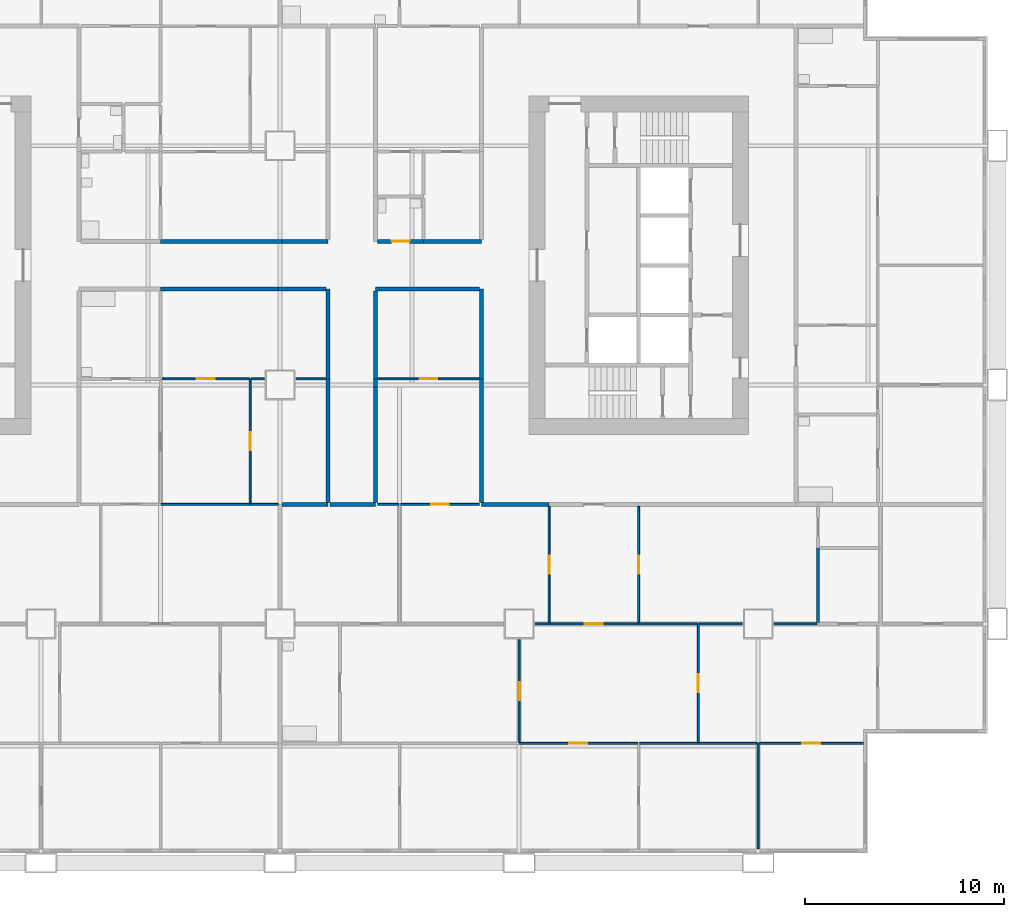
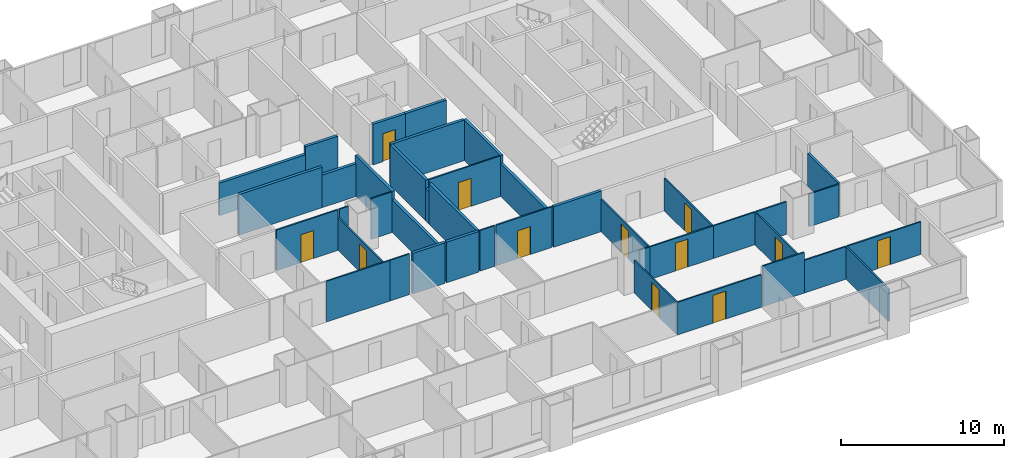
# One storey, part 6 of 14: 41 walls, 12 doors, 12 openings.
"""IFC4 building model written with IfcOpenShell, lengths in metres."""

from ifc_helpers import new_model, si_unit, direction, frame, frame_2d, origin, place, context, subcontext, project, spatial, rectangle, extrude, material, layer, layer_set, type_object, element, fill, save


model = new_model("IFC4")

# Units and contexts
model_context = context("Model", 3, precision=1e-05, world=origin(), true_north=direction((0.0, 1.0)))
body_context = subcontext(model_context, "Body", "Model", "MODEL_VIEW")
ifc_project = project(units=[si_unit("LENGTHUNIT", "METRE"), si_unit("AREAUNIT", "SQUARE_METRE"), si_unit("VOLUMEUNIT", "CUBIC_METRE"), si_unit("PLANEANGLEUNIT", "RADIAN"), si_unit("MASSUNIT", "GRAM", prefix="KILO")], contexts=[model_context])

# Site, building, storey
site_placement = place(None, origin())
site = spatial("IfcSite", under=ifc_project, at=site_placement, CompositionType="ELEMENT")
building_placement = place(site_placement, origin())
building = spatial("IfcBuilding", under=site, at=building_placement, Name="Kitamizu Gate Tower and Museum", CompositionType="ELEMENT")
storey_placement = place(building_placement, frame((0.0, 0.0, 85.199951171875)))
storey = spatial("IfcBuildingStorey", under=building, at=storey_placement, Name="L21", CompositionType="ELEMENT", Elevation=85.199951171875)

# Walls
ifc_material_1 = material(Name="Gypsum board on galvanised stud")
ifc_layer_1 = layer(ifc_material_1, 0.10009765625)
ifc_layer_set_1 = layer_set([ifc_layer_1], Name="Gypsum board on galvanised stud")
wall_type_1 = type_object("IfcWallType", Name="Partition 100 NOT RATED", PredefinedType="PARTITIONING", material=ifc_layer_set_1)
wall_1_placement = place(storey_placement, frame((34.5, 18.0, 0.0), z_axis=(0.0, 0.0, 1.0), x_axis=(-1.0, 0.0, 0.0)))
element("IfcWall", 1, at=wall_1_placement, inside=storey, type_object=wall_type_1, Name="Partition L21-044", PredefinedType="PARTITIONING", context=body_context, shape_type="SweptSolid", body=[
    extrude(rectangle(XDim=4.5, YDim=0.10009765625, at=frame_2d((2.25, 0.0))), origin(), (0.0, 0.0, 1.0), 3.050048828125),
])
wall_2_placement = place(storey_placement, frame((35.89990234375, 18.0, 0.0), z_axis=(0.0, 0.0, 1.0), x_axis=(-1.0, 0.0, 0.0)))
element("IfcWall", 2, at=wall_2_placement, inside=storey, type_object=wall_type_1, Name="Partition L21-045", PredefinedType="PARTITIONING", context=body_context, shape_type="SweptSolid", body=[
    extrude(rectangle(XDim=1.39990234375, YDim=0.10009765625, at=frame_2d((0.699951171875, 0.0))), origin(), (0.0, 0.0, 1.0), 3.050048828125),
])

# Wall, opening, door
wall_3_placement = place(storey_placement, frame((34.5, 18.050048828125, 0.0), z_axis=(0.0, 0.0, 1.0), x_axis=(0.0, 1.0, 0.0)))
wall_3 = element("IfcWall", 3, at=wall_3_placement, inside=storey, type_object=wall_type_1, Name="Partition L21-051", PredefinedType="PARTITIONING", context=body_context, shape_type="SweptSolid", body=[
    extrude(rectangle(XDim=6.25, YDim=0.10009765625, at=frame_2d((3.125, 0.0))), origin(), (0.0, 0.0, 1.0), 2.449951171875),
])
opening_1_placement = place(wall_3_placement, frame((2.675048828125, 0.0, 0.0)))
opening_1 = element("IfcOpeningElement", 4, at=opening_1_placement, cuts=wall_3, Name="Opening L21-018", PredefinedType="OPENING", context=body_context, shape_type="SweptSolid", body=[
    extrude(rectangle(XDim=0.89990234375, YDim=2.10009765625, at=frame_2d((0.449951171875, 1.050048828125))), frame((0.0, 0.06005859375, 0.0), z_axis=(0.0, -1.0, 0.0), x_axis=(1.0, 0.0, 0.0)), (0.0, 0.0, 1.0), 0.1201171875),
])
ifc_material_2 = material(Name="Timber door set", Category="wood")
door_type_1 = type_object("IfcDoorType", Name="Room door 900", OperationType="NOTDEFINED", PredefinedType="DOOR", material=ifc_material_2)
door_1_placement = place(opening_1_placement, frame((0.89990234375, 0.0, 0.0), x_axis=(-1.0, 0.0, 0.0)))
door_1 = element("IfcDoor", 5, at=door_1_placement, inside=storey, type_object=door_type_1, Name="Door L21-018", OperationType="SINGLE_SWING_LEFT", OverallHeight=2.10009765625, OverallWidth=0.89990234375, PredefinedType="DOOR", context=body_context, shape_type="SweptSolid", body=[
    extrude(rectangle(XDim=0.89990234375, YDim=2.10009765625, at=frame_2d((0.449951171875, 1.050048828125))), frame((0.0, 0.02490234375, 0.0), z_axis=(0.0, -1.0, 0.0), x_axis=(1.0, 0.0, 0.0)), (0.0, 0.0, 1.0), 0.050048828125),
])
fill(opening_1, door_1)

wall_4_placement = place(storey_placement, frame((34.449951171875, 24.300048828125, 0.0), z_axis=(0.0, 0.0, 1.0), x_axis=(-1.0, 0.0, 0.0)))
wall_4 = element("IfcWall", 6, at=wall_4_placement, inside=storey, type_object=wall_type_1, Name="Partition L21-052", PredefinedType="PARTITIONING", context=body_context, shape_type="SweptSolid", body=[
    extrude(rectangle(XDim=4.375, YDim=0.10009765625, at=frame_2d((2.1875, 0.0))), origin(), (0.0, 0.0, 1.0), 3.050048828125),
])
opening_2_placement = place(wall_4_placement, frame((1.737548828125, 0.0, 0.0)))
opening_2 = element("IfcOpeningElement", 7, at=opening_2_placement, cuts=wall_4, Name="Opening L21-020", PredefinedType="OPENING", context=body_context, shape_type="SweptSolid", body=[
    extrude(rectangle(XDim=0.89990234375, YDim=2.10009765625, at=frame_2d((0.449951171875, 1.050048828125))), frame((0.0, 0.06005859375, 0.0), z_axis=(0.0, -1.0, 0.0), x_axis=(1.0, 0.0, 0.0)), (0.0, 0.0, 1.0), 0.1201171875),
])
door_2_placement = place(opening_2_placement, origin())
door_2 = element("IfcDoor", 8, at=door_2_placement, inside=storey, type_object=door_type_1, Name="Door L21-020", OperationType="SINGLE_SWING_RIGHT", OverallHeight=2.10009765625, OverallWidth=0.89990234375, PredefinedType="DOOR", context=body_context, shape_type="SweptSolid", body=[
    extrude(rectangle(XDim=0.89990234375, YDim=2.10009765625, at=frame_2d((0.449951171875, 1.050048828125))), frame((0.0, 0.02490234375, 0.0), z_axis=(0.0, -1.0, 0.0), x_axis=(1.0, 0.0, 0.0)), (0.0, 0.0, 1.0), 0.050048828125),
])
fill(opening_2, door_2)

# Walls
wall_5_placement = place(storey_placement, frame((35.199951171875, 24.300048828125, 0.0), z_axis=(0.0, 0.0, 1.0), x_axis=(-1.0, 0.0, 0.0)))
element("IfcWall", 9, at=wall_5_placement, inside=storey, type_object=wall_type_1, Name="Partition L21-053", PredefinedType="PARTITIONING", context=body_context, shape_type="SweptSolid", body=[
    extrude(rectangle(XDim=0.64990234375, YDim=0.10009765625, at=frame_2d((0.324951171875, 0.0))), origin(), (0.0, 0.0, 1.0), 3.050048828125),
])
wall_6_placement = place(storey_placement, frame((38.300048828125, 24.300048828125, 0.0), z_axis=(0.0, 0.0, 1.0), x_axis=(-1.0, 0.0, 0.0)))
element("IfcWall", 10, at=wall_6_placement, inside=storey, type_object=wall_type_1, Name="Partition L21-054", PredefinedType="PARTITIONING", context=body_context, shape_type="SweptSolid", body=[
    extrude(rectangle(XDim=1.5, YDim=0.10009765625, at=frame_2d((0.75, 0.0))), origin(), (0.0, 0.0, 1.0), 3.050048828125),
])

# Wall, opening, door
wall_7_placement = place(storey_placement, frame((53.949951171875, 6.0, 0.0), z_axis=(0.0, 0.0, 1.0), x_axis=(-1.0, 0.0, 0.0)))
wall_7 = element("IfcWall", 11, at=wall_7_placement, inside=storey, type_object=wall_type_1, Name="Partition L21-126", PredefinedType="PARTITIONING", context=body_context, shape_type="SweptSolid", body=[
    extrude(rectangle(XDim=5.949951171875, YDim=0.10009765625, at=frame_2d((2.97509765625, 0.0))), origin(), (0.0, 0.0, 1.0), 2.449951171875),
])
opening_3_placement = place(wall_7_placement, frame((2.52490234375, 0.0, 0.0)))
opening_3 = element("IfcOpeningElement", 12, at=opening_3_placement, cuts=wall_7, Name="Opening L21-043", PredefinedType="OPENING", context=body_context, shape_type="SweptSolid", body=[
    extrude(rectangle(XDim=0.89990234375, YDim=2.10009765625, at=frame_2d((0.449951171875, 1.050048828125))), frame((0.0, 0.06005859375, 0.0), z_axis=(0.0, -1.0, 0.0), x_axis=(1.0, 0.0, 0.0)), (0.0, 0.0, 1.0), 0.1201171875),
])
door_3_placement = place(opening_3_placement, frame((0.89990234375, 0.0, 0.0), x_axis=(-1.0, 0.0, 0.0)))
door_3 = element("IfcDoor", 13, at=door_3_placement, inside=storey, type_object=door_type_1, Name="Door L21-043", OperationType="SINGLE_SWING_LEFT", OverallHeight=2.10009765625, OverallWidth=0.89990234375, PredefinedType="DOOR", context=body_context, shape_type="SweptSolid", body=[
    extrude(rectangle(XDim=0.89990234375, YDim=2.10009765625, at=frame_2d((0.449951171875, 1.050048828125))), frame((0.0, 0.02490234375, 0.0), z_axis=(0.0, -1.0, 0.0), x_axis=(1.0, 0.0, 0.0)), (0.0, 0.0, 1.0), 0.050048828125),
])
fill(opening_3, door_3)

# Walls
wall_8_placement = place(storey_placement, frame((60.0, 0.719970703125, 0.0), z_axis=(0.0, 0.0, 1.0), x_axis=(0.0, 1.0, 0.0)))
element("IfcWall", 14, at=wall_8_placement, inside=storey, type_object=wall_type_1, Name="Partition L21-127", PredefinedType="PARTITIONING", context=body_context, shape_type="SweptSolid", body=[
    extrude(rectangle(XDim=5.280029296875, YDim=0.10009765625, at=frame_2d((2.64013671875, 0.0))), origin(), (0.0, 0.0, 1.0), 2.449951171875),
])
wall_9_placement = place(storey_placement, frame((57.0, 6.0, 0.0), z_axis=(0.0, 0.0, 1.0), x_axis=(-1.0, 0.0, 0.0)))
element("IfcWall", 15, at=wall_9_placement, inside=storey, type_object=wall_type_1, Name="Partition L21-128", PredefinedType="PARTITIONING", context=body_context, shape_type="SweptSolid", body=[
    extrude(rectangle(XDim=2.949951171875, YDim=0.10009765625, at=frame_2d((1.47509765625, 0.0))), origin(), (0.0, 0.0, 1.0), 3.050048828125),
])
wall_10_placement = place(storey_placement, frame((59.949951171875, 6.0, 0.0), z_axis=(0.0, 0.0, 1.0), x_axis=(-1.0, 0.0, 0.0)))
element("IfcWall", 16, at=wall_10_placement, inside=storey, type_object=wall_type_1, Name="Partition L21-129", PredefinedType="PARTITIONING", context=body_context, shape_type="SweptSolid", body=[
    extrude(rectangle(XDim=2.949951171875, YDim=0.10009765625, at=frame_2d((1.47509765625, 0.0))), origin(), (0.0, 0.0, 1.0), 2.449951171875),
])

# Wall, opening, door
wall_11_placement = place(storey_placement, frame((65.280029296875, 6.0, 0.0), z_axis=(0.0, 0.0, 1.0), x_axis=(-1.0, 0.0, 0.0)))
wall_11 = element("IfcWall", 17, at=wall_11_placement, inside=storey, type_object=wall_type_1, Name="Partition L21-130", PredefinedType="PARTITIONING", context=body_context, shape_type="SweptSolid", body=[
    extrude(rectangle(XDim=5.22998046875, YDim=0.10009765625, at=frame_2d((2.614990234375, 0.0))), origin(), (0.0, 0.0, 1.0), 2.449951171875),
])
opening_4_placement = place(wall_11_placement, frame((2.1650390625, 0.0, 0.0)))
opening_4 = element("IfcOpeningElement", 18, at=opening_4_placement, cuts=wall_11, Name="Opening L21-046", PredefinedType="OPENING", context=body_context, shape_type="SweptSolid", body=[
    extrude(rectangle(XDim=0.89990234375, YDim=2.10009765625, at=frame_2d((0.449951171875, 1.050048828125))), frame((0.0, 0.06005859375, 0.0), z_axis=(0.0, -1.0, 0.0), x_axis=(1.0, 0.0, 0.0)), (0.0, 0.0, 1.0), 0.1201171875),
])
door_4_placement = place(opening_4_placement, origin())
door_4 = element("IfcDoor", 19, at=door_4_placement, inside=storey, type_object=door_type_1, Name="Door L21-046", OperationType="SINGLE_SWING_LEFT", OverallHeight=2.10009765625, OverallWidth=0.89990234375, PredefinedType="DOOR", context=body_context, shape_type="SweptSolid", body=[
    extrude(rectangle(XDim=0.89990234375, YDim=2.10009765625, at=frame_2d((0.449951171875, 1.050048828125))), frame((0.0, 0.02490234375, 0.0), z_axis=(0.0, -1.0, 0.0), x_axis=(1.0, 0.0, 0.0)), (0.0, 0.0, 1.0), 0.050048828125),
])
fill(opening_4, door_4)

wall_12_placement = place(storey_placement, frame((48.0, 6.050048828125, 0.0), z_axis=(0.0, 0.0, 1.0), x_axis=(0.0, 1.0, 0.0)))
wall_12 = element("IfcWall", 20, at=wall_12_placement, inside=storey, type_object=wall_type_1, Name="Partition L21-133", PredefinedType="PARTITIONING", context=body_context, shape_type="SweptSolid", body=[
    extrude(rectangle(XDim=5.14990234375, YDim=0.10009765625, at=frame_2d((2.574951171875, 0.0))), origin(), (0.0, 0.0, 1.0), 2.449951171875),
])
opening_5_placement = place(wall_12_placement, frame((2.125, 0.0, 0.0)))
opening_5 = element("IfcOpeningElement", 21, at=opening_5_placement, cuts=wall_12, Name="Opening L21-044", PredefinedType="OPENING", context=body_context, shape_type="SweptSolid", body=[
    extrude(rectangle(XDim=0.89990234375, YDim=2.10009765625, at=frame_2d((0.449951171875, 1.050048828125))), frame((0.0, 0.06005859375, 0.0), z_axis=(0.0, -1.0, 0.0), x_axis=(1.0, 0.0, 0.0)), (0.0, 0.0, 1.0), 0.1201171875),
])
door_5_placement = place(opening_5_placement, frame((0.89990234375, 0.0, 0.0), x_axis=(-1.0, 0.0, 0.0)))
door_5 = element("IfcDoor", 22, at=door_5_placement, inside=storey, type_object=door_type_1, Name="Door L21-044", OperationType="SINGLE_SWING_RIGHT", OverallHeight=2.10009765625, OverallWidth=0.89990234375, PredefinedType="DOOR", context=body_context, shape_type="SweptSolid", body=[
    extrude(rectangle(XDim=0.89990234375, YDim=2.10009765625, at=frame_2d((0.449951171875, 1.050048828125))), frame((0.0, 0.02490234375, 0.0), z_axis=(0.0, -1.0, 0.0), x_axis=(1.0, 0.0, 0.0)), (0.0, 0.0, 1.0), 0.050048828125),
])
fill(opening_5, door_5)

wall_13_placement = place(storey_placement, frame((57.0, 6.050048828125, 0.0), z_axis=(0.0, 0.0, 1.0), x_axis=(0.0, 1.0, 0.0)))
wall_13 = element("IfcWall", 23, at=wall_13_placement, inside=storey, type_object=wall_type_1, Name="Partition L21-136", PredefinedType="PARTITIONING", context=body_context, shape_type="SweptSolid", body=[
    extrude(rectangle(XDim=5.949951171875, YDim=0.10009765625, at=frame_2d((2.97509765625, 0.0))), origin(), (0.0, 0.0, 1.0), 2.449951171875),
])
opening_6_placement = place(wall_13_placement, frame((2.52490234375, 0.0, 0.0)))
opening_6 = element("IfcOpeningElement", 24, at=opening_6_placement, cuts=wall_13, Name="Opening L21-045", PredefinedType="OPENING", context=body_context, shape_type="SweptSolid", body=[
    extrude(rectangle(XDim=0.89990234375, YDim=2.10009765625, at=frame_2d((0.449951171875, 1.050048828125))), frame((0.0, 0.06005859375, 0.0), z_axis=(0.0, -1.0, 0.0), x_axis=(1.0, 0.0, 0.0)), (0.0, 0.0, 1.0), 0.1201171875),
])
door_6_placement = place(opening_6_placement, frame((0.89990234375, 0.0, 0.0), x_axis=(-1.0, 0.0, 0.0)))
door_6 = element("IfcDoor", 25, at=door_6_placement, inside=storey, type_object=door_type_1, Name="Door L21-045", OperationType="SINGLE_SWING_LEFT", OverallHeight=2.10009765625, OverallWidth=0.89990234375, PredefinedType="DOOR", context=body_context, shape_type="SweptSolid", body=[
    extrude(rectangle(XDim=0.89990234375, YDim=2.10009765625, at=frame_2d((0.449951171875, 1.050048828125))), frame((0.0, 0.02490234375, 0.0), z_axis=(0.0, -1.0, 0.0), x_axis=(1.0, 0.0, 0.0)), (0.0, 0.0, 1.0), 0.050048828125),
])
fill(opening_6, door_6)

# Wall
wall_14_placement = place(storey_placement, frame((49.5, 12.0, 0.0), z_axis=(0.0, 0.0, 1.0), x_axis=(-1.0, 0.0, 0.0)))
element("IfcWall", 26, at=wall_14_placement, inside=storey, type_object=wall_type_1, Name="Partition L21-137", PredefinedType="PARTITIONING", context=body_context, shape_type="SweptSolid", body=[
    extrude(rectangle(XDim=0.699951171875, YDim=0.10009765625, at=frame_2d((0.35009765625, 0.0))), origin(), (0.0, 0.0, 1.0), 2.449951171875),
])

# Wall, opening, door
wall_15_placement = place(storey_placement, frame((54.0, 12.0, 0.0), z_axis=(0.0, 0.0, 1.0), x_axis=(-1.0, 0.0, 0.0)))
wall_15 = element("IfcWall", 27, at=wall_15_placement, inside=storey, type_object=wall_type_1, Name="Partition L21-138", PredefinedType="PARTITIONING", context=body_context, shape_type="SweptSolid", body=[
    extrude(rectangle(XDim=4.5, YDim=0.10009765625, at=frame_2d((2.25, 0.0))), origin(), (0.0, 0.0, 1.0), 2.449951171875),
])
opening_7_placement = place(wall_15_placement, frame((1.800048828125, 0.0, 0.0)))
opening_7 = element("IfcOpeningElement", 28, at=opening_7_placement, cuts=wall_15, Name="Opening L21-042", PredefinedType="OPENING", context=body_context, shape_type="SweptSolid", body=[
    extrude(rectangle(XDim=0.89990234375, YDim=2.10009765625, at=frame_2d((0.449951171875, 1.050048828125))), frame((0.0, 0.06005859375, 0.0), z_axis=(0.0, -1.0, 0.0), x_axis=(1.0, 0.0, 0.0)), (0.0, 0.0, 1.0), 0.1201171875),
])
door_7_placement = place(opening_7_placement, origin())
door_7 = element("IfcDoor", 29, at=door_7_placement, inside=storey, type_object=door_type_1, Name="Door L21-042", OperationType="SINGLE_SWING_LEFT", OverallHeight=2.10009765625, OverallWidth=0.89990234375, PredefinedType="DOOR", context=body_context, shape_type="SweptSolid", body=[
    extrude(rectangle(XDim=0.89990234375, YDim=2.10009765625, at=frame_2d((0.449951171875, 1.050048828125))), frame((0.0, 0.02490234375, 0.0), z_axis=(0.0, -1.0, 0.0), x_axis=(1.0, 0.0, 0.0)), (0.0, 0.0, 1.0), 0.050048828125),
])
fill(opening_7, door_7)

# Walls
wall_16_placement = place(storey_placement, frame((56.949951171875, 12.0, 0.0), z_axis=(0.0, 0.0, 1.0), x_axis=(-1.0, 0.0, 0.0)))
element("IfcWall", 30, at=wall_16_placement, inside=storey, type_object=wall_type_1, Name="Partition L21-139", PredefinedType="PARTITIONING", context=body_context, shape_type="SweptSolid", body=[
    extrude(rectangle(XDim=2.949951171875, YDim=0.10009765625, at=frame_2d((1.47509765625, 0.0))), origin(), (0.0, 0.0, 1.0), 2.449951171875),
])
wall_17_placement = place(storey_placement, frame((59.199951171875, 12.0, 0.0), z_axis=(0.0, 0.0, 1.0), x_axis=(-1.0, 0.0, 0.0)))
element("IfcWall", 31, at=wall_17_placement, inside=storey, type_object=wall_type_1, Name="Partition L21-141", PredefinedType="PARTITIONING", context=body_context, shape_type="SweptSolid", body=[
    extrude(rectangle(XDim=2.14990234375, YDim=0.10009765625, at=frame_2d((1.074951171875, 0.0))), origin(), (0.0, 0.0, 1.0), 2.449951171875),
])
wall_18_placement = place(storey_placement, frame((62.925048828125, 12.0, 0.0), z_axis=(0.0, 0.0, 1.0), x_axis=(-1.0, 0.0, 0.0)))
element("IfcWall", 32, at=wall_18_placement, inside=storey, type_object=wall_type_1, Name="Partition L21-142", PredefinedType="PARTITIONING", context=body_context, shape_type="SweptSolid", body=[
    extrude(rectangle(XDim=2.125, YDim=0.10009765625, at=frame_2d((1.0625, 0.0))), origin(), (0.0, 0.0, 1.0), 2.449951171875),
])
wall_19_placement = place(storey_placement, frame((41.949951171875, 18.0, 0.0), z_axis=(0.0, 0.0, 1.0), x_axis=(-1.0, 0.0, 0.0)))
element("IfcWall", 33, at=wall_19_placement, inside=storey, type_object=wall_type_1, Name="Partition L21-146", PredefinedType="PARTITIONING", context=body_context, shape_type="SweptSolid", body=[
    extrude(rectangle(XDim=1.050048828125, YDim=0.10009765625, at=frame_2d((0.52490234375, 0.0))), origin(), (0.0, 0.0, 1.0), 3.050048828125),
])

# Wall, opening, door
wall_20_placement = place(storey_placement, frame((49.5, 12.050048828125, 0.0), z_axis=(0.0, 0.0, 1.0), x_axis=(0.0, 1.0, 0.0)))
wall_20 = element("IfcWall", 34, at=wall_20_placement, inside=storey, type_object=wall_type_1, Name="Partition L21-148", PredefinedType="PARTITIONING", context=body_context, shape_type="SweptSolid", body=[
    extrude(rectangle(XDim=5.849853515625, YDim=0.10009765625, at=frame_2d((2.9248046875, 0.0))), origin(), (0.0, 0.0, 1.0), 2.449951171875),
])
opening_8_placement = place(wall_20_placement, frame((2.47509765625, 0.0, 0.0)))
opening_8 = element("IfcOpeningElement", 35, at=opening_8_placement, cuts=wall_20, Name="Opening L21-052", PredefinedType="OPENING", context=body_context, shape_type="SweptSolid", body=[
    extrude(rectangle(XDim=0.89990234375, YDim=2.10009765625, at=frame_2d((0.449951171875, 1.050048828125))), frame((0.0, 0.06005859375, 0.0), z_axis=(0.0, -1.0, 0.0), x_axis=(1.0, 0.0, 0.0)), (0.0, 0.0, 1.0), 0.1201171875),
])
door_8_placement = place(opening_8_placement, origin())
door_8 = element("IfcDoor", 36, at=door_8_placement, inside=storey, type_object=door_type_1, Name="Door L21-052", OperationType="SINGLE_SWING_RIGHT", OverallHeight=2.10009765625, OverallWidth=0.89990234375, PredefinedType="DOOR", context=body_context, shape_type="SweptSolid", body=[
    extrude(rectangle(XDim=0.89990234375, YDim=2.10009765625, at=frame_2d((0.449951171875, 1.050048828125))), frame((0.0, 0.02490234375, 0.0), z_axis=(0.0, -1.0, 0.0), x_axis=(1.0, 0.0, 0.0)), (0.0, 0.0, 1.0), 0.050048828125),
])
fill(opening_8, door_8)

wall_21_placement = place(storey_placement, frame((46.0, 18.0, 0.0), z_axis=(0.0, 0.0, 1.0), x_axis=(-1.0, 0.0, 0.0)))
wall_21 = element("IfcWall", 37, at=wall_21_placement, inside=storey, type_object=wall_type_1, Name="Partition L21-149", PredefinedType="PARTITIONING", context=body_context, shape_type="SweptSolid", body=[
    extrude(rectangle(XDim=3.949951171875, YDim=0.10009765625, at=frame_2d((1.97509765625, 0.0))), origin(), (0.0, 0.0, 1.0), 3.050048828125),
])
opening_9_placement = place(wall_21_placement, frame((1.52490234375, 0.0, 0.0)))
opening_9 = element("IfcOpeningElement", 38, at=opening_9_placement, cuts=wall_21, Name="Opening L21-057", PredefinedType="OPENING", context=body_context, shape_type="SweptSolid", body=[
    extrude(rectangle(XDim=0.89990234375, YDim=2.10009765625, at=frame_2d((0.449951171875, 1.050048828125))), frame((0.0, 0.06005859375, 0.0), z_axis=(0.0, -1.0, 0.0), x_axis=(1.0, 0.0, 0.0)), (0.0, 0.0, 1.0), 0.1201171875),
])
door_9_placement = place(opening_9_placement, frame((0.89990234375, 0.0, 0.0), x_axis=(-1.0, 0.0, 0.0)))
door_9 = element("IfcDoor", 39, at=door_9_placement, inside=storey, type_object=door_type_1, Name="Door L21-057", OperationType="SINGLE_SWING_RIGHT", OverallHeight=2.10009765625, OverallWidth=0.89990234375, PredefinedType="DOOR", context=body_context, shape_type="SweptSolid", body=[
    extrude(rectangle(XDim=0.89990234375, YDim=2.10009765625, at=frame_2d((0.449951171875, 1.050048828125))), frame((0.0, 0.02490234375, 0.0), z_axis=(0.0, -1.0, 0.0), x_axis=(1.0, 0.0, 0.0)), (0.0, 0.0, 1.0), 0.050048828125),
])
fill(opening_9, door_9)

wall_22_placement = place(storey_placement, frame((54.0, 12.050048828125, 0.0), z_axis=(0.0, 0.0, 1.0), x_axis=(0.0, 1.0, 0.0)))
wall_22 = element("IfcWall", 40, at=wall_22_placement, inside=storey, type_object=wall_type_1, Name="Partition L21-151", PredefinedType="PARTITIONING", context=body_context, shape_type="SweptSolid", body=[
    extrude(rectangle(XDim=5.849853515625, YDim=0.10009765625, at=frame_2d((2.9248046875, 0.0))), origin(), (0.0, 0.0, 1.0), 2.449951171875),
])
opening_10_placement = place(wall_22_placement, frame((2.47509765625, 0.0, 0.0)))
opening_10 = element("IfcOpeningElement", 41, at=opening_10_placement, cuts=wall_22, Name="Opening L21-053", PredefinedType="OPENING", context=body_context, shape_type="SweptSolid", body=[
    extrude(rectangle(XDim=0.89990234375, YDim=2.10009765625, at=frame_2d((0.449951171875, 1.050048828125))), frame((0.0, 0.06005859375, 0.0), z_axis=(0.0, -1.0, 0.0), x_axis=(1.0, 0.0, 0.0)), (0.0, 0.0, 1.0), 0.1201171875),
])
door_10_placement = place(opening_10_placement, frame((0.89990234375, 0.0, 0.0), x_axis=(-1.0, 0.0, 0.0)))
door_10 = element("IfcDoor", 42, at=door_10_placement, inside=storey, type_object=door_type_1, Name="Door L21-053", OperationType="SINGLE_SWING_RIGHT", OverallHeight=2.10009765625, OverallWidth=0.89990234375, PredefinedType="DOOR", context=body_context, shape_type="SweptSolid", body=[
    extrude(rectangle(XDim=0.89990234375, YDim=2.10009765625, at=frame_2d((0.449951171875, 1.050048828125))), frame((0.0, 0.02490234375, 0.0), z_axis=(0.0, -1.0, 0.0), x_axis=(1.0, 0.0, 0.0)), (0.0, 0.0, 1.0), 0.050048828125),
])
fill(opening_10, door_10)

wall_23_placement = place(storey_placement, frame((46.0, 24.300048828125, 0.0), z_axis=(0.0, 0.0, 1.0), x_axis=(-1.0, 0.0, 0.0)))
wall_23 = element("IfcWall", 43, at=wall_23_placement, inside=storey, type_object=wall_type_1, Name="Partition L21-162", PredefinedType="PARTITIONING", context=body_context, shape_type="SweptSolid", body=[
    extrude(rectangle(XDim=5.10009765625, YDim=0.10009765625, at=frame_2d((2.550048828125, 0.0))), origin(), (0.0, 0.0, 1.0), 3.050048828125),
])
opening_11_placement = place(wall_23_placement, frame((2.10009765625, 0.0, 0.0)))
opening_11 = element("IfcOpeningElement", 44, at=opening_11_placement, cuts=wall_23, Name="Opening L21-058", PredefinedType="OPENING", context=body_context, shape_type="SweptSolid", body=[
    extrude(rectangle(XDim=0.89990234375, YDim=2.10009765625, at=frame_2d((0.449951171875, 1.050048828125))), frame((0.0, 0.06005859375, 0.0), z_axis=(0.0, -1.0, 0.0), x_axis=(1.0, 0.0, 0.0)), (0.0, 0.0, 1.0), 0.1201171875),
])
door_11_placement = place(opening_11_placement, frame((0.89990234375, 0.0, 0.0), x_axis=(-1.0, 0.0, 0.0)))
door_11 = element("IfcDoor", 45, at=door_11_placement, inside=storey, type_object=door_type_1, Name="Door L21-058", OperationType="SINGLE_SWING_LEFT", OverallHeight=2.10009765625, OverallWidth=0.89990234375, PredefinedType="DOOR", context=body_context, shape_type="SweptSolid", body=[
    extrude(rectangle(XDim=0.89990234375, YDim=2.10009765625, at=frame_2d((0.449951171875, 1.050048828125))), frame((0.0, 0.02490234375, 0.0), z_axis=(0.0, -1.0, 0.0), x_axis=(1.0, 0.0, 0.0)), (0.0, 0.0, 1.0), 0.050048828125),
])
fill(opening_11, door_11)

# Walls
ifc_material_3 = material(Name="Gypsum board on galvanised stud")
ifc_layer_2 = layer(ifc_material_3, 0.14990234375)
ifc_layer_set_2 = layer_set([ifc_layer_2], Name="Gypsum board on galvanised stud")
wall_type_2 = type_object("IfcWallType", Name="Partition 150", PredefinedType="PARTITIONING", material=ifc_layer_set_2)
wall_24_placement = place(storey_placement, frame((63.0, 12.074951171875, 0.0), z_axis=(0.0, 0.0, 1.0), x_axis=(0.0, 1.0, 0.0)))
element("IfcWall", 46, at=wall_24_placement, inside=storey, type_object=wall_type_2, Name="Partition L21-153", PredefinedType="PARTITIONING", context=body_context, shape_type="SweptSolid", body=[
    extrude(rectangle(XDim=3.739013671875, YDim=0.14990234375, at=frame_2d((1.86962890625, 0.0))), origin(), (0.0, 0.0, 1.0), 2.449951171875),
])
ifc_material_4 = material(Name="Gypsum board on galvanised stud")
ifc_layer_3 = layer(ifc_material_4, 0.199951171875)
ifc_layer_set_3 = layer_set([ifc_layer_3], Name="Gypsum board on galvanised stud")
wall_type_3 = type_object("IfcWallType", Name="Partition 200", PredefinedType="PARTITIONING", material=ifc_layer_set_3)
wall_25_placement = place(storey_placement, frame((36.10009765625, 18.0, 0.0), z_axis=(0.0, 0.0, 1.0), x_axis=(1.0, 0.0, 0.0)))
element("IfcWall", 47, at=wall_25_placement, inside=storey, type_object=wall_type_3, Name="Partition L21-055", PredefinedType="PARTITIONING", context=body_context, shape_type="SweptSolid", body=[
    extrude(rectangle(XDim=2.2998046875, YDim=0.199951171875, at=frame_2d((1.14990234375, 0.0))), origin(), (0.0, 0.0, 1.0), 3.050048828125),
])
wall_26_placement = place(storey_placement, frame((38.39990234375, 18.10009765625, 0.0), z_axis=(0.0, 0.0, 1.0), x_axis=(0.0, 1.0, 0.0)))
element("IfcWall", 48, at=wall_26_placement, inside=storey, type_object=wall_type_3, Name="Partition L21-056", PredefinedType="PARTITIONING", context=body_context, shape_type="SweptSolid", body=[
    extrude(rectangle(XDim=6.199951171875, YDim=0.199951171875, at=frame_2d((3.10009765625, 0.0))), origin(), (0.0, 0.0, 1.0), 2.449951171875),
])
wall_27_placement = place(storey_placement, frame((38.39990234375, 24.300048828125, 0.0), z_axis=(0.0, 0.0, 1.0), x_axis=(0.0, 1.0, 0.0)))
element("IfcWall", 49, at=wall_27_placement, inside=storey, type_object=wall_type_3, Name="Partition L21-060", PredefinedType="PARTITIONING", context=body_context, shape_type="SweptSolid", body=[
    extrude(rectangle(XDim=4.5, YDim=0.199951171875, at=frame_2d((2.25, 0.0))), origin(), (0.0, 0.0, 1.0), 3.050048828125),
])
wall_28_placement = place(storey_placement, frame((38.300048828125, 28.800048828125, 0.0), z_axis=(0.0, 0.0, 1.0), x_axis=(-1.0, 0.0, 0.0)))
element("IfcWall", 50, at=wall_28_placement, inside=storey, type_object=wall_type_3, Name="Partition L21-061", PredefinedType="PARTITIONING", context=body_context, shape_type="SweptSolid", body=[
    extrude(rectangle(XDim=2.400146484375, YDim=0.199951171875, at=frame_2d((1.2001953125, 0.0))), origin(), (0.0, 0.0, 1.0), 2.449951171875),
])
wall_29_placement = place(storey_placement, frame((35.89990234375, 28.800048828125, 0.0), z_axis=(0.0, 0.0, 1.0), x_axis=(-1.0, 0.0, 0.0)))
element("IfcWall", 51, at=wall_29_placement, inside=storey, type_object=wall_type_3, Name="Partition L21-062", PredefinedType="PARTITIONING", context=body_context, shape_type="SweptSolid", body=[
    extrude(rectangle(XDim=5.89990234375, YDim=0.199951171875, at=frame_2d((2.949951171875, 0.0))), origin(), (0.0, 0.0, 1.0), 3.050048828125),
])
wall_30_placement = place(storey_placement, frame((30.0, 31.199951171875, 0.0), z_axis=(0.0, 0.0, 1.0), x_axis=(1.0, 0.0, 0.0)))
element("IfcWall", 52, at=wall_30_placement, inside=storey, type_object=wall_type_3, Name="Partition L21-118", PredefinedType="PARTITIONING", context=body_context, shape_type="SweptSolid", body=[
    extrude(rectangle(XDim=6.10009765625, YDim=0.199951171875, at=frame_2d((3.050048828125, 0.0))), origin(), (0.0, 0.0, 1.0), 2.449951171875),
])
wall_31_placement = place(storey_placement, frame((36.10009765625, 31.199951171875, 0.0), z_axis=(0.0, 0.0, 1.0), x_axis=(1.0, 0.0, 0.0)))
element("IfcWall", 53, at=wall_31_placement, inside=storey, type_object=wall_type_3, Name="Partition L21-119", PredefinedType="PARTITIONING", context=body_context, shape_type="SweptSolid", body=[
    extrude(rectangle(XDim=2.2998046875, YDim=0.199951171875, at=frame_2d((1.14990234375, 0.0))), origin(), (0.0, 0.0, 1.0), 3.050048828125),
])
wall_32_placement = place(storey_placement, frame((40.800048828125, 18.0, 0.0), z_axis=(0.0, 0.0, 1.0), x_axis=(-1.0, 0.0, 0.0)))
element("IfcWall", 54, at=wall_32_placement, inside=storey, type_object=wall_type_3, Name="Partition L21-147", PredefinedType="PARTITIONING", context=body_context, shape_type="SweptSolid", body=[
    extrude(rectangle(XDim=2.300048828125, YDim=0.199951171875, at=frame_2d((1.14990234375, 0.0))), origin(), (0.0, 0.0, 1.0), 3.050048828125),
])
wall_33_placement = place(storey_placement, frame((49.5, 18.0, 0.0), z_axis=(0.0, 0.0, 1.0), x_axis=(-1.0, 0.0, 0.0)))
element("IfcWall", 55, at=wall_33_placement, inside=storey, type_object=wall_type_3, Name="Partition L21-150", PredefinedType="PARTITIONING", context=body_context, shape_type="SweptSolid", body=[
    extrude(rectangle(XDim=3.39990234375, YDim=0.199951171875, at=frame_2d((1.699951171875, 0.0))), origin(), (0.0, 0.0, 1.0), 3.050048828125),
])
wall_34_placement = place(storey_placement, frame((40.800048828125, 24.300048828125, 0.0), z_axis=(0.0, 0.0, 1.0), x_axis=(0.0, -1.0, 0.0)))
element("IfcWall", 56, at=wall_34_placement, inside=storey, type_object=wall_type_3, Name="Partition L21-163", PredefinedType="PARTITIONING", context=body_context, shape_type="SweptSolid", body=[
    extrude(rectangle(XDim=0.400146484375, YDim=0.199951171875, at=frame_2d((0.2001953125, 0.0))), origin(), (0.0, 0.0, 1.0), 2.449951171875),
])
wall_35_placement = place(storey_placement, frame((40.800048828125, 23.89990234375, 0.0), z_axis=(0.0, 0.0, 1.0), x_axis=(0.0, -1.0, 0.0)))
element("IfcWall", 57, at=wall_35_placement, inside=storey, type_object=wall_type_3, Name="Partition L21-164", PredefinedType="PARTITIONING", context=body_context, shape_type="SweptSolid", body=[
    extrude(rectangle(XDim=5.7998046875, YDim=0.199951171875, at=frame_2d((2.89990234375, 0.0))), origin(), (0.0, 0.0, 1.0), 3.050048828125),
])
wall_36_placement = place(storey_placement, frame((46.10009765625, 18.10009765625, 0.0), z_axis=(0.0, 0.0, 1.0), x_axis=(0.0, 1.0, 0.0)))
element("IfcWall", 58, at=wall_36_placement, inside=storey, type_object=wall_type_3, Name="Partition L21-165", PredefinedType="PARTITIONING", context=body_context, shape_type="SweptSolid", body=[
    extrude(rectangle(XDim=6.199951171875, YDim=0.199951171875, at=frame_2d((3.10009765625, 0.0))), origin(), (0.0, 0.0, 1.0), 2.449951171875),
])
wall_37_placement = place(storey_placement, frame((46.10009765625, 24.300048828125, 0.0), z_axis=(0.0, 0.0, 1.0), x_axis=(0.0, 1.0, 0.0)))
element("IfcWall", 59, at=wall_37_placement, inside=storey, type_object=wall_type_3, Name="Partition L21-166", PredefinedType="PARTITIONING", context=body_context, shape_type="SweptSolid", body=[
    extrude(rectangle(XDim=4.5, YDim=0.199951171875, at=frame_2d((2.25, 0.0))), origin(), (0.0, 0.0, 1.0), 3.050048828125),
])
wall_38_placement = place(storey_placement, frame((46.0, 28.800048828125, 0.0), z_axis=(0.0, 0.0, 1.0), x_axis=(-1.0, 0.0, 0.0)))
element("IfcWall", 60, at=wall_38_placement, inside=storey, type_object=wall_type_3, Name="Partition L21-167", PredefinedType="PARTITIONING", context=body_context, shape_type="SweptSolid", body=[
    extrude(rectangle(XDim=5.199951171875, YDim=0.199951171875, at=frame_2d((2.60009765625, 0.0))), origin(), (0.0, 0.0, 1.0), 3.050048828125),
])
wall_39_placement = place(storey_placement, frame((40.800048828125, 28.699951171875, 0.0), z_axis=(0.0, 0.0, 1.0), x_axis=(0.0, -1.0, 0.0)))
element("IfcWall", 61, at=wall_39_placement, inside=storey, type_object=wall_type_3, Name="Partition L21-168", PredefinedType="PARTITIONING", context=body_context, shape_type="SweptSolid", body=[
    extrude(rectangle(XDim=4.39990234375, YDim=0.199951171875, at=frame_2d((2.199951171875, 0.0))), origin(), (0.0, 0.0, 1.0), 3.050048828125),
])

# Wall, opening, door
wall_40_placement = place(storey_placement, frame((40.89990234375, 31.199951171875, 0.0), z_axis=(0.0, 0.0, 1.0), x_axis=(1.0, 0.0, 0.0)))
wall_40 = element("IfcWall", 62, at=wall_40_placement, inside=storey, type_object=wall_type_3, Name="Partition L21-209", PredefinedType="PARTITIONING", context=body_context, shape_type="SweptSolid", body=[
    extrude(rectangle(XDim=2.300048828125, YDim=0.199951171875, at=frame_2d((1.14990234375, 0.0))), origin(), (0.0, 0.0, 1.0), 3.050048828125),
])
opening_12_placement = place(wall_40_placement, frame((0.699951171875, 0.0, 0.0)))
opening_12 = element("IfcOpeningElement", 63, at=opening_12_placement, cuts=wall_40, Name="Opening L21-075", PredefinedType="OPENING", context=body_context, shape_type="SweptSolid", body=[
    extrude(rectangle(XDim=0.89990234375, YDim=2.10009765625, at=frame_2d((0.449951171875, 1.050048828125))), frame((0.0, 0.10986328125, 0.0), z_axis=(0.0, -1.0, 0.0), x_axis=(1.0, 0.0, 0.0)), (0.0, 0.0, 1.0), 0.219970703125),
])
ifc_material_5 = material(Name="Timber door set", Category="wood")
door_type_2 = type_object("IfcDoorType", Name="Store door 900", OperationType="NOTDEFINED", PredefinedType="DOOR", material=ifc_material_5)
door_12_placement = place(opening_12_placement, origin())
door_12 = element("IfcDoor", 64, at=door_12_placement, inside=storey, type_object=door_type_2, Name="Service entrance door L21-075", OperationType="SINGLE_SWING_LEFT", OverallHeight=2.10009765625, OverallWidth=0.89990234375, PredefinedType="DOOR", context=body_context, shape_type="SweptSolid", body=[
    extrude(rectangle(XDim=0.89990234375, YDim=2.10009765625, at=frame_2d((0.449951171875, 1.050048828125))), frame((0.0, 0.02490234375, 0.0), z_axis=(0.0, -1.0, 0.0), x_axis=(1.0, 0.0, 0.0)), (0.0, 0.0, 1.0), 0.050048828125),
])
fill(opening_12, door_12)

# Wall
wall_41_placement = place(storey_placement, frame((43.199951171875, 31.199951171875, 0.0), z_axis=(0.0, 0.0, 1.0), x_axis=(1.0, 0.0, 0.0)))
element("IfcWall", 65, at=wall_41_placement, inside=storey, type_object=wall_type_3, Name="Partition L21-212", PredefinedType="PARTITIONING", context=body_context, shape_type="SweptSolid", body=[
    extrude(rectangle(XDim=2.900146484375, YDim=0.199951171875, at=frame_2d((1.4501953125, 0.0))), origin(), (0.0, 0.0, 1.0), 3.050048828125),
])

save(model, "model.ifc")
